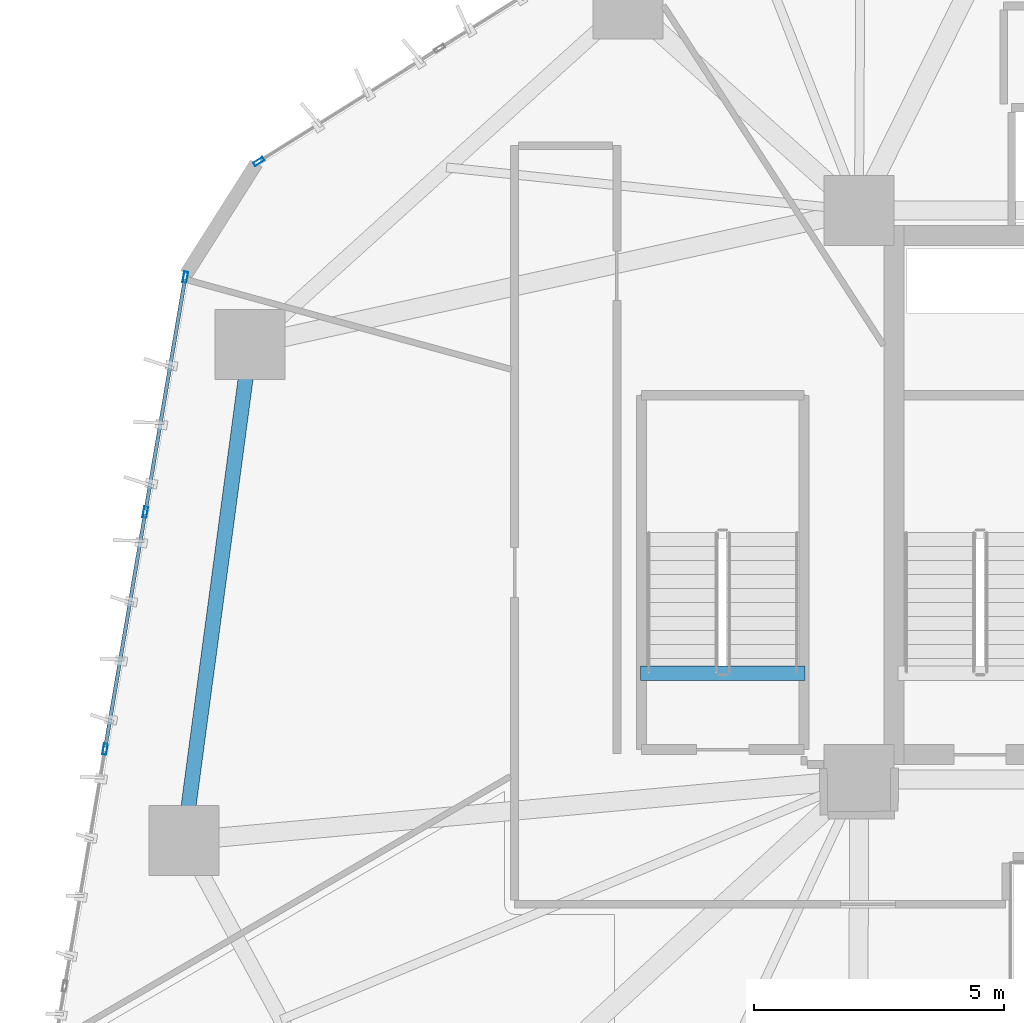
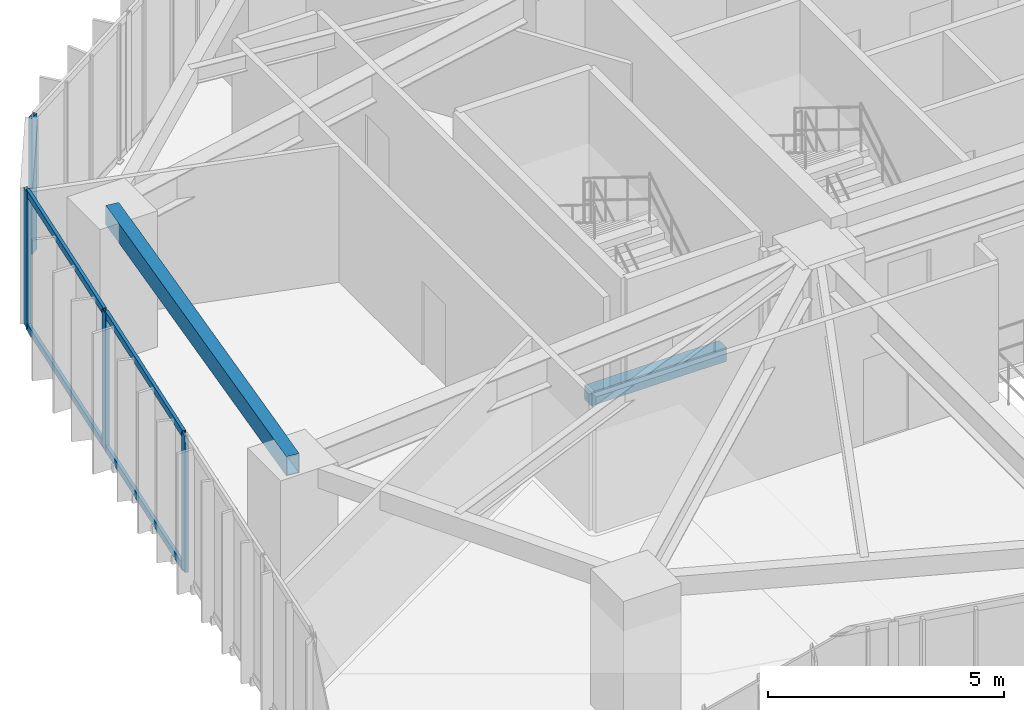
# One storey, part 6 of 22: 8 members, 2 beams, 2 elements without a shape of their own.
"""IFC4 building model written with IfcOpenShell, lengths in metres."""

import ifcopenshell
import ifcopenshell.guid

model = None  # the IFC model being written
_history = None  # IfcOwnerHistory: only IFC2X3 demands one
_inside = {}  # id of a spatial element -> (the spatial element, [elements in it])
_under = {}  # id of a project, library or spatial element -> (it, [spatial elements below it])
_declared = {}  # id of a project -> (the project, [libraries it declares])
_typed = {}  # id of a type object -> (the type object, [elements of that type])
_made_of = {}  # id of a material, layer set ... -> (it, [elements and type objects made of it])


def new_model(schema):
    """Start an empty IFC model of exactly this schema.

    Asked for "IFC4X3", IfcOpenShell would pick the latest addendum, in which some entities
    have other attributes; the version numbers below select the first issue.
    IFC2X3 requires an IfcOwnerHistory on every rooted entity: one is made here for all.
    """
    global model, _history
    if schema == "IFC4X3":
        model = ifcopenshell.file(schema_version=(4, 3, 0, 0))
    else:
        model = ifcopenshell.file(schema=schema)
    _inside.clear()
    _under.clear()
    _declared.clear()
    _typed.clear()
    _made_of.clear()
    _history = None
    if model.schema == "IFC2X3":
        org = make("IfcOrganization", Name="unknown")
        user = make(
            "IfcPersonAndOrganization",
            ThePerson=make("IfcPerson", FamilyName="unknown"),
            TheOrganization=org,
        )
        app = make(
            "IfcApplication",
            ApplicationDeveloper=org,
            Version="unknown",
            ApplicationFullName="unknown",
            ApplicationIdentifier="unknown",
        )
        _history = make(
            "IfcOwnerHistory",
            OwningUser=user,
            OwningApplication=app,
            ChangeAction="ADDED",
            CreationDate=0,
        )
    return model


def make(cls, **values):
    """One entity of the class cls with the attributes given. An attribute that is None is left unset."""
    return model.create_entity(
        cls, **{name: value for name, value in values.items() if value is not None}
    )


def rooted(cls, **values):
    """An entity with a GlobalId (a new one), such as an element, a storey or a relation."""
    return make(cls, GlobalId=ifcopenshell.guid.new(), OwnerHistory=_history, **values)


def si_unit(unit_type, name, prefix=None):
    """IfcSIUnit, for example si_unit("LENGTHUNIT", "METRE", prefix="MILLI")."""
    return make("IfcSIUnit", UnitType=unit_type, Prefix=prefix, Name=name)


def assignment(units):
    """IfcUnitAssignment: the units of a project."""
    return None if units is None else make("IfcUnitAssignment", Units=units)


def point(xyz):
    """IfcCartesianPoint."""
    return None if xyz is None else make("IfcCartesianPoint", Coordinates=xyz)


def direction(xyz):
    """IfcDirection."""
    return None if xyz is None else make("IfcDirection", DirectionRatios=xyz)


def frame(location, z_axis=None, x_axis=None):
    """IfcAxis2Placement3D, a coordinate frame: its origin and axes. An axis left out is left unset."""
    return make(
        "IfcAxis2Placement3D",
        Location=point(location),
        Axis=direction(z_axis),
        RefDirection=direction(x_axis),
    )


def frame_2d(location, x_axis=None):
    """IfcAxis2Placement2D, a coordinate frame in the plane: its origin and x axis."""
    return make(
        "IfcAxis2Placement2D", Location=point(location), RefDirection=direction(x_axis)
    )


def origin():
    """The frame at (0, 0, 0) with its axes left unset."""
    return frame((0.0, 0.0, 0.0))


def origin_2d():
    """The frame at (0, 0) in the plane with its x axis left unset."""
    return frame_2d((0.0, 0.0))


def place(relative_to, where):
    """IfcLocalPlacement: puts the frame where relative to a parent placement (None: the world)."""
    return make(
        "IfcLocalPlacement", PlacementRelTo=relative_to, RelativePlacement=where
    )


def context(
    kind, dimensions, precision=None, world=None, true_north=None, identifier=None
):
    """IfcGeometricRepresentationContext, for example the 3D "Model" context."""
    return make(
        "IfcGeometricRepresentationContext",
        ContextIdentifier=identifier,
        ContextType=kind,
        CoordinateSpaceDimension=dimensions,
        Precision=precision,
        WorldCoordinateSystem=world,
        TrueNorth=true_north,
    )


def subcontext(parent, identifier, kind, view, scale=None):
    """IfcGeometricRepresentationSubContext, for example "Body" below "Model"."""
    return make(
        "IfcGeometricRepresentationSubContext",
        ContextIdentifier=identifier,
        ContextType=kind,
        ParentContext=parent,
        TargetScale=scale,
        TargetView=view,
    )


def project(units=None, contexts=None):
    """IfcProject with its units and contexts."""
    return rooted(
        "IfcProject",
        Name="project",
        RepresentationContexts=contexts,
        UnitsInContext=assignment(units),
    )


def spatial(cls, under=None, at=None, **own):
    """A site, building, storey or space (cls), placed at a placement, below another one or the project."""
    s = rooted(cls, ObjectPlacement=at, **own)
    if under is not None:
        _under.setdefault(under.id(), (under, []))[1].append(s)
    return s


def profile(cls, at=None, kind="AREA", **sizes):
    """A parametric profile (cls). Its sizes go by their IFC names, for example OverallWidth=200.0."""
    return make(cls, ProfileType=kind, Position=at, **sizes)


def rectangle(**sizes):
    """IfcRectangleProfileDef."""
    return profile("IfcRectangleProfileDef", **sizes)


def hollow_rectangle(**sizes):
    """IfcRectangleHollowProfileDef."""
    return profile("IfcRectangleHollowProfileDef", **sizes)


def extrude(swept, where, along, depth):
    """IfcExtrudedAreaSolid: the profile swept, set in the frame where, extruded along a direction by depth."""
    return make(
        "IfcExtrudedAreaSolid",
        SweptArea=swept,
        Position=where,
        ExtrudedDirection=direction(along),
        Depth=depth,
    )


def shape(context_of_items, identifier, shape_type, items):
    """IfcShapeRepresentation: the items that make up one representation, for example the "Body"."""
    return make(
        "IfcShapeRepresentation",
        ContextOfItems=context_of_items,
        RepresentationIdentifier=identifier,
        RepresentationType=shape_type,
        Items=items,
    )


def source(mapping_origin, context_of_items, identifier, shape_type, items):
    """IfcRepresentationMap: a shape defined once, which mapped items show again and again."""
    return make(
        "IfcRepresentationMap",
        MappingOrigin=mapping_origin,
        MappedRepresentation=shape(context_of_items, identifier, shape_type, items),
    )


def transform(
    local_origin,
    x_axis=None,
    y_axis=None,
    z_axis=None,
    scale=None,
    scale2=None,
    scale3=None,
    uniform=True,
):
    """IfcCartesianTransformationOperator3D, or its non-uniform kind. x_axis, y_axis, z_axis: its Axis1, 2, 3."""
    if uniform:
        return make(
            "IfcCartesianTransformationOperator3D",
            Axis1=direction(x_axis),
            Axis2=direction(y_axis),
            LocalOrigin=point(local_origin),
            Scale=scale,
            Axis3=direction(z_axis),
        )
    return make(
        "IfcCartesianTransformationOperator3DnonUniform",
        Axis1=direction(x_axis),
        Axis2=direction(y_axis),
        LocalOrigin=point(local_origin),
        Scale=scale,
        Axis3=direction(z_axis),
        Scale2=scale2,
        Scale3=scale3,
    )


def mapped(mapping_source, mapping_target):
    """IfcMappedItem: shows the shape of a source again, moved by a transform."""
    return make(
        "IfcMappedItem", MappingSource=mapping_source, MappingTarget=mapping_target
    )


def material(Name=None, Category=None):
    """IfcMaterial."""
    return make("IfcMaterial", Name=Name, Category=Category)


def layer(
    of_material, thickness, ventilated=None, Name=None, Category=None, Priority=None
):
    """IfcMaterialLayer: one layer of a wall or slab, of a material (None: an air gap)."""
    return make(
        "IfcMaterialLayer",
        Material=of_material,
        LayerThickness=thickness,
        IsVentilated=ventilated,
        Name=Name,
        Category=Category,
        Priority=Priority,
    )


def layer_set(layers, Name=None):
    """IfcMaterialLayerSet."""
    return make("IfcMaterialLayerSet", MaterialLayers=layers, LayerSetName=Name)


def material_profile(
    of_material, cross_section, Name=None, Category=None, Priority=None
):
    """IfcMaterialProfile: a cross section and its material."""
    return make(
        "IfcMaterialProfile",
        Name=Name,
        Material=of_material,
        Profile=cross_section,
        Priority=Priority,
        Category=Category,
    )


def profile_set(profiles, Name=None, composite=None):
    """IfcMaterialProfileSet."""
    return make(
        "IfcMaterialProfileSet",
        Name=Name,
        MaterialProfiles=profiles,
        CompositeProfile=composite,
    )


def made_of(thing, what):
    """Note that an element or type object is made of a material, layer set ...; save() writes the relation."""
    if what is not None:
        _made_of.setdefault(what.id(), (what, []))[1].append(thing)
    return thing


def type_object(cls, material=None, **own):
    """A type object (cls), such as IfcWallType, which elements share."""
    return made_of(rooted(cls, **own), material)


def type_shapes(of_type, sources):
    """Give a type object the sources (RepresentationMaps) that its elements show as mapped items."""
    of_type.RepresentationMaps = sources


def element(
    cls,
    number,
    at=None,
    inside=None,
    cuts=None,
    type_object=None,
    material=None,
    context=None,
    identifier="Body",
    shape_type=None,
    held_by="IfcProductDefinitionShape",
    body=None,
    shapes=None,
    **own,
):
    """One element of the class cls, such as IfcWall. Its Tag is "e" and its number.

    at: its placement. inside: the storey or other place that contains it. cuts: it is an
    opening in that element (IfcRelVoidsElement). A single representation is given by context,
    identifier, shape_type and body (its items); several are given by shapes. held_by: the class
    of the entity that holds the representations. save() writes the other relations.
    """
    e = rooted(cls, Tag="e%d" % number, ObjectPlacement=at, **own)
    if body is not None:
        shapes = [shape(context, identifier, shape_type, body)]
    if shapes is not None:
        e.Representation = make(held_by, Representations=shapes)
    if inside is not None:
        _inside.setdefault(inside.id(), (inside, []))[1].append(e)
    if cuts is not None:
        rooted(
            "IfcRelVoidsElement", RelatingBuildingElement=cuts, RelatedOpeningElement=e
        )
    if type_object is not None:
        _typed.setdefault(type_object.id(), (type_object, []))[1].append(e)
    return made_of(e, material)


def aggregate(whole, parts):
    """IfcRelAggregates: a whole, such as a stair, and the parts it consists of."""
    return rooted("IfcRelAggregates", RelatingObject=whole, RelatedObjects=parts)


def save(model, path):
    """Write the relations noted so far, then the file.

    IfcRelAggregates (storeys below a building ...), IfcRelContainedInSpatialStructure (elements
    in a storey), IfcRelDefinesByType, IfcRelAssociatesMaterial and IfcRelDeclares: one each for
    every whole, place, type object, material and project.
    """
    for whole, parts in _under.values():
        aggregate(whole, parts)
    for where, things in _inside.values():
        rooted(
            "IfcRelContainedInSpatialStructure",
            RelatedElements=things,
            RelatingStructure=where,
        )
    for kind, things in _typed.values():
        rooted("IfcRelDefinesByType", RelatedObjects=things, RelatingType=kind)
    for what, things in _made_of.values():
        rooted("IfcRelAssociatesMaterial", RelatedObjects=things, RelatingMaterial=what)
    for by, libraries in _declared.values():
        rooted("IfcRelDeclares", RelatingContext=by, RelatedDefinitions=libraries)
    model.write(path)


model = new_model("IFC4")

# Units and contexts
model_context = context("Model", 3, precision=1e-05, world=origin(), true_north=direction((0.0, 1.0)))
body_context = subcontext(model_context, "Body", "Model", "MODEL_VIEW")
ifc_project = project(units=[si_unit("LENGTHUNIT", "METRE"), si_unit("AREAUNIT", "SQUARE_METRE"), si_unit("VOLUMEUNIT", "CUBIC_METRE"), si_unit("PLANEANGLEUNIT", "RADIAN"), si_unit("MASSUNIT", "GRAM", prefix="KILO")], contexts=[model_context])

# Site, building, storey
site_placement = place(None, origin())
site = spatial("IfcSite", under=ifc_project, at=site_placement, CompositionType="ELEMENT")
building_placement = place(site_placement, origin())
building = spatial("IfcBuilding", under=site, at=building_placement, Name="Talar Marvaseh", CompositionType="ELEMENT")
storey_placement = place(building_placement, frame((0.0, 0.0, 54.39990234375)))
storey = spatial("IfcBuildingStorey", under=building, at=storey_placement, Name="L13", CompositionType="ELEMENT", Elevation=54.39990234375)

# Beams
ifc_material_1 = material(Name="Concrete C40/50", Category="concrete")
ifc_material_profile_1 = material_profile(ifc_material_1, rectangle(XDim=0.300048828125, YDim=0.360107421875, at=origin_2d()), Name="RC300x360")
ifc_profile_set_1 = profile_set([ifc_material_profile_1], Name="Concrete C40/50")
beam_type_1 = type_object("IfcBeamType", Name="Concrete Stair Landing Trimmer Beam RC300x360", PredefinedType="SPANDREL", material=ifc_profile_set_1)
beam_1_placement = place(storey_placement, frame((17.6201171875, 27.6298828125, -0.179931640625), z_axis=(-1.0, 0.0, 0.0), x_axis=(0.0, -1.0, 0.0)))
element("IfcBeam", 1, at=beam_1_placement, inside=storey, type_object=beam_type_1, Name="L13 ST-3 Stair Nosing Trimmer Beam", PredefinedType="SPANDREL", context=body_context, shape_type="SweptSolid", body=[
    extrude(rectangle(XDim=0.300048828125, YDim=0.360107421875, at=origin_2d()), origin(), (0.0, 0.0, 1.0), 3.300048828125),
])
ifc_material_2 = material(Name="Steel S355", Category="steel")
ifc_material_profile_2 = material_profile(ifc_material_2, hollow_rectangle(XDim=0.300048828125, YDim=0.5, WallThickness=0.02001953125, at=origin_2d()), Name="RHS500x300x20")
ifc_profile_set_2 = profile_set([ifc_material_profile_2], Name="Steel S355")
beam_type_2 = type_object("IfcBeamType", Name="Zone 1 Perimeter Spandrel Beam RHS500x300x20", PredefinedType="SPANDREL", material=ifc_profile_set_2)
beam_2_placement = place(storey_placement, frame((5.175048828125, 24.27587890625, 3.27001953125), z_axis=(0.132340758564, 0.991204279461, 0.0), x_axis=(-0.991204279461, 0.132340758564, 0.0)))
element("IfcBeam", 2, at=beam_2_placement, inside=storey, type_object=beam_type_2, Name="L13 Zone 1 Perimeter Spandrel Beam RHS500x300x20", PredefinedType="SPANDREL", context=body_context, shape_type="SweptSolid", body=[
    extrude(hollow_rectangle(XDim=0.300048828125, YDim=0.5, WallThickness=0.02001953125, at=origin_2d()), origin(), (0.0, 0.0, 1.0), 10.0263671875),
])

# Curtain wall, members
ifc_material_3 = material(Name="Architectural Aluminium", Category="aluminium")
ifc_layer = layer(ifc_material_3, 0.219970703125)
ifc_layer_set = layer_set([ifc_layer], Name="Architectural Aluminium")
curtain_wall_type = type_object("IfcCurtainWallType", Name="Unitised Low-E Museum Curtain Wall Z1", PredefinedType="NOTDEFINED", material=ifc_layer_set)
curtain_wall_1_placement = place(storey_placement, origin())
curtain_wall_1 = element("IfcCurtainWall", 3, at=curtain_wall_1_placement, inside=storey, type_object=curtain_wall_type, Name="L13 Unitised Low-E Museum Curtain Wall Z1", PredefinedType="NOTDEFINED")
ifc_material_profile_3 = material_profile(ifc_material_3, hollow_rectangle(XDim=0.080078125, YDim=0.219970703125, WallThickness=0.0048828125, at=origin_2d()), Name="RHS220x80x5")
ifc_profile_set_3 = profile_set([ifc_material_profile_3], Name="Architectural Aluminium")
member_type_1 = type_object("IfcMemberType", Name="Unitised Curtain Wall Heavy Mullion RHS220x80x5", PredefinedType="MULLION", material=ifc_profile_set_3)
shared_shape_1 = source(origin(), body_context, "Body", "SweptSolid", [
    extrude(hollow_rectangle(XDim=0.080078125, YDim=0.219970703125, WallThickness=0.0048828125, at=origin_2d()), origin(), (0.0, 0.0, 1.0), 3.52001953125),
])
type_shapes(member_type_1, [shared_shape_1])
member_1_placement = place(storey_placement, frame((3.5947265625, 26.1083984375, 0.0), z_axis=(0.0, 0.0, 1.0), x_axis=(-0.985839504999, 0.167691593063, 0.0)))
member_1 = element("IfcMember", 4, at=member_1_placement, type_object=member_type_1, Name="CW-Z1 mullion 3", PredefinedType="MULLION", context=body_context, shape_type="MappedRepresentation", body=[
    mapped(shared_shape_1, transform((0.0, 0.0, 0.0), x_axis=(1.0, 0.0, 0.0), y_axis=(0.0, 1.0, 0.0), z_axis=(0.0, 0.0, 1.0), scale=1.0)),
])
member_2_placement = place(storey_placement, frame((4.40234375, 30.85693359375, 0.0), z_axis=(0.0, 0.0, 1.0), x_axis=(-0.985839504999, 0.167691593063, 0.0)))
member_2 = element("IfcMember", 5, at=member_2_placement, type_object=member_type_1, Name="CW-Z1 mullion 4", PredefinedType="MULLION", context=body_context, shape_type="MappedRepresentation", body=[
    mapped(shared_shape_1, transform((0.0, 0.0, 0.0), x_axis=(1.0, 0.0, 0.0), y_axis=(0.0, 1.0, 0.0), z_axis=(0.0, 0.0, 1.0), scale=1.0)),
])
member_3_placement = place(storey_placement, frame((5.203369140625, 35.565673828125, 0.0), z_axis=(0.0, 0.0, 1.0), x_axis=(-0.985839504999, 0.167691593063, 0.0)))
member_3 = element("IfcMember", 6, at=member_3_placement, type_object=member_type_1, Name="CW-Z1 mullion 5", PredefinedType="MULLION", context=body_context, shape_type="MappedRepresentation", body=[
    mapped(shared_shape_1, transform((0.0, 0.0, 0.0), x_axis=(1.0, 0.0, 0.0), y_axis=(0.0, 1.0, 0.0), z_axis=(0.0, 0.0, 1.0), scale=1.0)),
])

# Curtain wall, member
curtain_wall_2_placement = place(storey_placement, origin())
curtain_wall_2 = element("IfcCurtainWall", 7, at=curtain_wall_2_placement, inside=storey, type_object=curtain_wall_type, Name="L13 Unitised Low-E Museum Curtain Wall Z1", PredefinedType="NOTDEFINED")
member_4_placement = place(storey_placement, frame((6.676025390625, 37.8828125, 0.0), z_axis=(0.0, 0.0, 1.0), x_axis=(-0.530926810321, 0.847417678646, 0.0)))
member_4 = element("IfcMember", 8, at=member_4_placement, type_object=member_type_1, Name="CW-Z1 mullion 1", PredefinedType="MULLION", context=body_context, shape_type="MappedRepresentation", body=[
    mapped(shared_shape_1, transform((0.0, 0.0, 0.0), x_axis=(1.0, 0.0, 0.0), y_axis=(0.0, 1.0, 0.0), z_axis=(0.0, 0.0, 1.0), scale=1.0)),
])
aggregate(curtain_wall_2, [member_4])

# Member
ifc_material_profile_4 = material_profile(ifc_material_3, hollow_rectangle(XDim=0.074951171875, YDim=0.179931640625, WallThickness=0.0048828125, at=origin_2d()), Name="RHS180x75x5")
ifc_profile_set_4 = profile_set([ifc_material_profile_4], Name="Architectural Aluminium")
member_type_2 = type_object("IfcMemberType", Name="Unitised Curtain Wall Transom RHS180x75x5", PredefinedType="USERDEFINED", material=ifc_profile_set_4)
shared_shape_2 = source(origin(), body_context, "Body", "SweptSolid", [
    extrude(hollow_rectangle(XDim=0.074951171875, YDim=0.179931640625, WallThickness=0.0048828125, at=origin_2d()), origin(), (0.0, 0.0, 1.0), 4.736572265625),
])
member_5_placement = place(storey_placement, frame((3.601318359375, 26.14794921875, 0.03759765625), z_axis=(0.167724741175, 0.985833865922, 0.0), x_axis=(-0.985833865922, 0.167724741175, 0.0)))
member_5 = element("IfcMember", 9, at=member_5_placement, type_object=member_type_2, Name="CW-Z1 transom 3.1", ObjectType="TRANSOM", PredefinedType="USERDEFINED", context=body_context, shape_type="MappedRepresentation", body=[
    mapped(shared_shape_2, transform((0.0, 0.0, 0.0), x_axis=(1.0, 0.0, 0.0), y_axis=(0.0, 1.0, 0.0), z_axis=(0.0, 0.0, 1.0), scale=1.0)),
])

member_6_placement = place(storey_placement, frame((3.601318359375, 26.14794921875, 3.482666015625), z_axis=(0.167724741175, 0.985833865922, 0.0), x_axis=(-0.985833865922, 0.167724741175, 0.0)))
member_6 = element("IfcMember", 10, at=member_6_placement, type_object=member_type_2, Name="CW-Z1 transom 3.2", ObjectType="TRANSOM", PredefinedType="USERDEFINED", context=body_context, shape_type="MappedRepresentation", body=[
    mapped(shared_shape_2, transform((0.0, 0.0, 0.0), x_axis=(1.0, 0.0, 0.0), y_axis=(0.0, 1.0, 0.0), z_axis=(0.0, 0.0, 1.0), scale=1.0)),
])

shared_shape_3 = source(origin(), body_context, "Body", "SweptSolid", [
    extrude(hollow_rectangle(XDim=0.074951171875, YDim=0.179931640625, WallThickness=0.0048828125, at=origin_2d()), origin(), (0.0, 0.0, 1.0), 4.696533203125),
])
type_shapes(member_type_2, [shared_shape_2, shared_shape_3])
member_7_placement = place(storey_placement, frame((4.4091796875, 30.896240234375, 0.03759765625), z_axis=(0.167694010881, 0.985839093724, 0.0), x_axis=(-0.985839093724, 0.167694010881, 0.0)))
member_7 = element("IfcMember", 11, at=member_7_placement, type_object=member_type_2, Name="CW-Z1 transom 4.1", ObjectType="TRANSOM", PredefinedType="USERDEFINED", context=body_context, shape_type="MappedRepresentation", body=[
    mapped(shared_shape_3, transform((0.0, 0.0, 0.0), x_axis=(1.0, 0.0, 0.0), y_axis=(0.0, 1.0, 0.0), z_axis=(0.0, 0.0, 1.0), scale=1.0)),
])

member_8_placement = place(storey_placement, frame((4.4091796875, 30.896240234375, 3.482666015625), z_axis=(0.167694010881, 0.985839093724, 0.0), x_axis=(-0.985839093724, 0.167694010881, 0.0)))
member_8 = element("IfcMember", 12, at=member_8_placement, type_object=member_type_2, Name="CW-Z1 transom 4.2", ObjectType="TRANSOM", PredefinedType="USERDEFINED", context=body_context, shape_type="MappedRepresentation", body=[
    mapped(shared_shape_3, transform((0.0, 0.0, 0.0), x_axis=(1.0, 0.0, 0.0), y_axis=(0.0, 1.0, 0.0), z_axis=(0.0, 0.0, 1.0), scale=1.0)),
])

aggregate(curtain_wall_1, [member_1, member_2, member_3, member_5, member_6, member_7, member_8])

save(model, "model.ifc")
